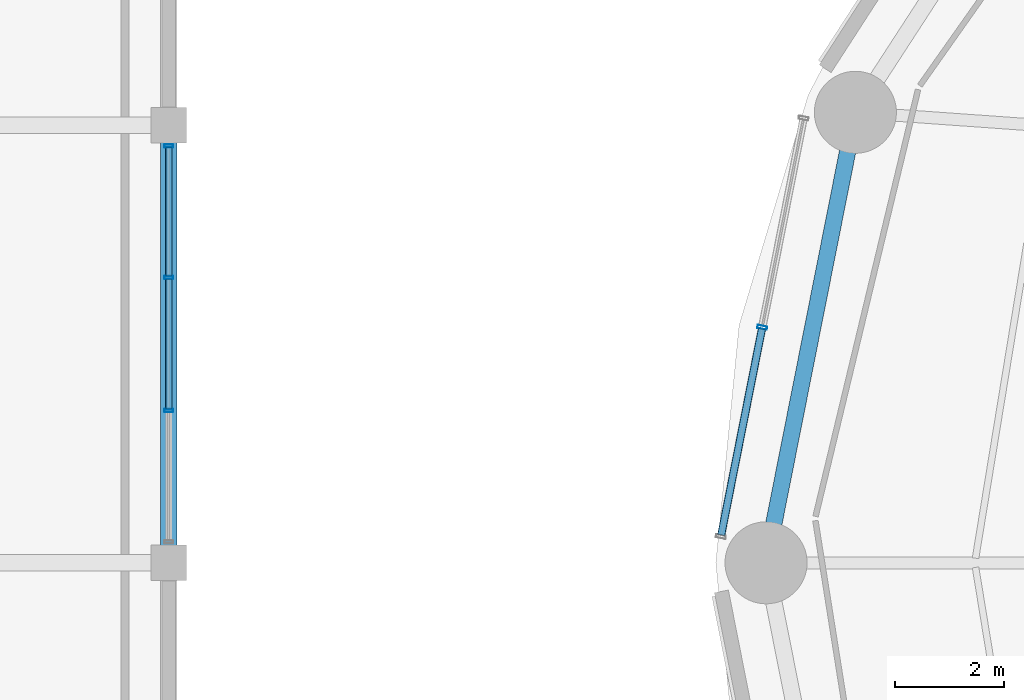
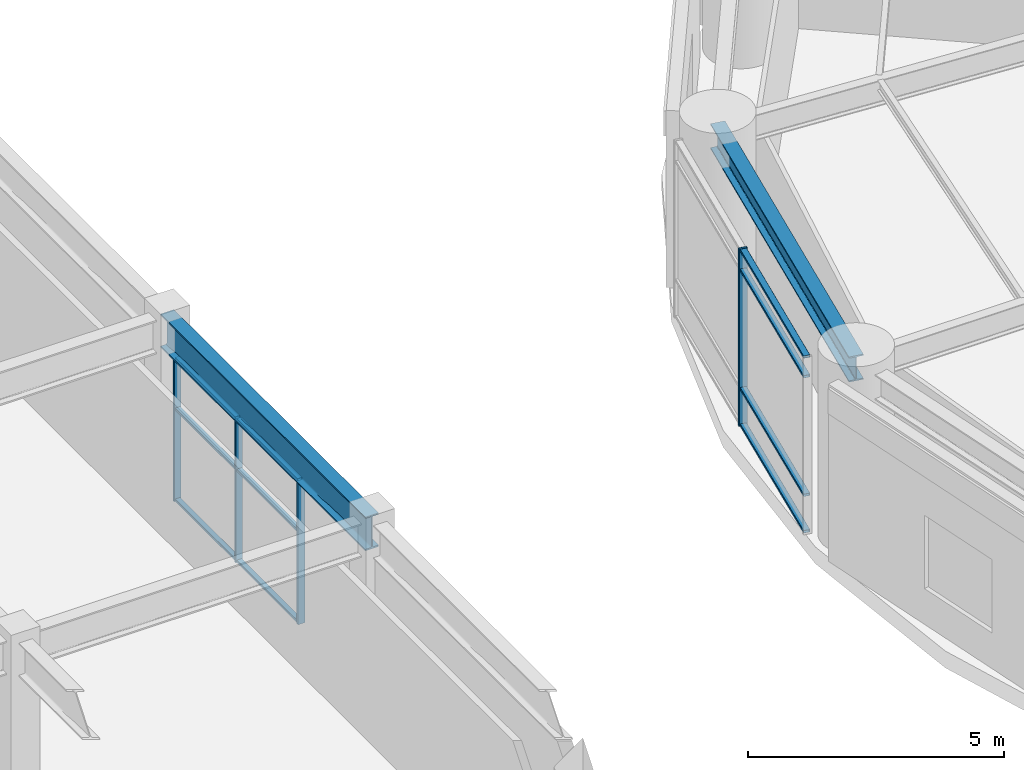
# One storey, part 13 of 46: 14 members, 2 beams, 2 elements without a shape of their own.
"""IFC4 building model written with IfcOpenShell, lengths in metres."""

from ifc_helpers import new_model, si_unit, direction, frame, origin, origin_2d, place, context, subcontext, project, spatial, hollow_rectangle, i_section, extrude, material, layer, layer_set, material_profile, profile_set, type_object, element, aggregate, save


model = new_model("IFC4")

# Units and contexts
model_context = context("Model", 3, precision=1e-05, world=origin(), true_north=direction((0.0, 1.0)))
body_context = subcontext(model_context, "Body", "Model", "MODEL_VIEW")
ifc_project = project(units=[si_unit("LENGTHUNIT", "METRE"), si_unit("AREAUNIT", "SQUARE_METRE"), si_unit("VOLUMEUNIT", "CUBIC_METRE"), si_unit("PLANEANGLEUNIT", "RADIAN"), si_unit("MASSUNIT", "GRAM", prefix="KILO")], contexts=[model_context])

# Site, building, storey
site_placement = place(None, origin())
site = spatial("IfcSite", under=ifc_project, at=site_placement, CompositionType="ELEMENT")
building_placement = place(site_placement, origin())
building = spatial("IfcBuilding", under=site, at=building_placement, Name="Kelanora Arch Commons", CompositionType="ELEMENT")
storey_placement = place(building_placement, frame((0.0, 0.0, 18.0)))
storey = spatial("IfcBuildingStorey", under=building, at=storey_placement, Name="L04", CompositionType="ELEMENT", Elevation=18.0)

# Beams
ifc_material_1 = material(Name="Steel S355", Category="steel")
ifc_material_profile_1 = material_profile(ifc_material_1, i_section(OverallWidth=0.300048828125, OverallDepth=0.800048828125, WebThickness=0.017578125, FlangeThickness=0.032958984375, FilletRadius=0.030029296875, at=origin_2d()), Name="HEB800")
ifc_profile_set_1 = profile_set([ifc_material_profile_1], Name="Steel S355")
beam_type_1 = type_object("IfcBeamType", Name="BM-MKT-ROOF", PredefinedType="USERDEFINED", material=ifc_profile_set_1)
beam_1_placement = place(storey_placement, frame((36.0, 58.0, 3.860107421875), z_axis=(0.0, 1.0, 0.0), x_axis=(-1.0, 0.0, 0.0)))
element("IfcBeam", 1, at=beam_1_placement, inside=storey, type_object=beam_type_1, Name="Market/Basement Frame Beam 091 L04", ObjectType="TRANSFER_GIRDER", PredefinedType="USERDEFINED", context=body_context, shape_type="SweptSolid", body=[
    extrude(i_section(OverallWidth=0.300048828125, OverallDepth=0.800048828125, WebThickness=0.017578125, FlangeThickness=0.032958984375, FilletRadius=0.030029296875, at=origin_2d()), origin(), (0.0, 0.0, 1.0), 8.0),
])
ifc_material_profile_2 = material_profile(ifc_material_1, i_section(OverallWidth=0.300048828125, OverallDepth=0.60009765625, WebThickness=0.015380859375, FlangeThickness=0.030029296875, FilletRadius=0.027099609375, at=origin_2d()), Name="HEB600")
ifc_profile_set_2 = profile_set([ifc_material_profile_2], Name="Steel S355")
beam_type_2 = type_object("IfcBeamType", Name="BM-SPN-Z1", PredefinedType="SPANDREL", material=ifc_profile_set_2)
beam_2_placement = place(storey_placement, frame((48.552978515625, 66.23583984375, 3.93994140625), z_axis=(-0.194499827256, -0.980902552345, 0.0), x_axis=(0.980902552345, -0.194499827256, 0.0)))
element("IfcBeam", 2, at=beam_2_placement, inside=storey, type_object=beam_type_2, Name="Perimeter Spandrel Beam BS-16 L04", PredefinedType="SPANDREL", context=body_context, shape_type="SweptSolid", body=[
    extrude(i_section(OverallWidth=0.300048828125, OverallDepth=0.60009765625, WebThickness=0.015380859375, FlangeThickness=0.030029296875, FilletRadius=0.027099609375, at=origin_2d()), origin(), (0.0, 0.0, 1.0), 8.396240234375),
])

# Curtain wall, member
ifc_material_2 = material(Name="Terracotta ceramic-fritted low-E glass and aluminium", Category="masonry")
ifc_layer_1 = layer(ifc_material_2, 0.2099609375)
ifc_layer_set_1 = layer_set([ifc_layer_1], Name="Terracotta ceramic-fritted low-E glass and aluminium")
curtain_wall_type_1 = type_object("IfcCurtainWallType", Name="CW-SYS-04", PredefinedType="NOTDEFINED", material=ifc_layer_set_1)
curtain_wall_1_placement = place(storey_placement, origin())
curtain_wall_1 = element("IfcCurtainWall", 3, at=curtain_wall_1_placement, inside=storey, type_object=curtain_wall_type_1, Name="Unitised Curtain Wall L04-B08", PredefinedType="NOTDEFINED")
ifc_material_3 = material(Name="Powder-coated aluminium terracotta", Category="masonry")
ifc_material_profile_3 = material_profile(ifc_material_3, hollow_rectangle(XDim=0.179931640625, YDim=0.06005859375, WallThickness=0.0048828125, InnerFilletRadius=0.0048828125, OuterFilletRadius=0.010009765625, at=origin_2d()), Name="CWM180x60")
ifc_profile_set_3 = profile_set([ifc_material_profile_3], Name="Powder-coated aluminium terracotta")
member_type_1 = type_object("IfcMemberType", Name="CWM-HVY", PredefinedType="MULLION", material=ifc_profile_set_3)
member_1_placement = place(storey_placement, frame((46.85009765625, 62.30419921875, 0.0), z_axis=(0.0, 0.0, 1.0), x_axis=(0.981053537743, -0.193736821698, 0.0)))
member_1 = element("IfcMember", 4, at=member_1_placement, type_object=member_type_1, Name="CW-04 mullion 2", PredefinedType="MULLION", context=body_context, shape_type="SweptSolid", body=[
    extrude(hollow_rectangle(XDim=0.179931640625, YDim=0.06005859375, WallThickness=0.0048828125, InnerFilletRadius=0.0048828125, OuterFilletRadius=0.010009765625, at=origin_2d()), origin(), (0.0, 0.0, 1.0), 4.22509765625),
])

# Curtain wall, members
ifc_layer_2 = layer(ifc_material_2, 0.16796875)
ifc_layer_set_2 = layer_set([ifc_layer_2], Name="Terracotta ceramic-fritted low-E glass and aluminium")
curtain_wall_type_2 = type_object("IfcCurtainWallType", Name="CW-SYS-07", PredefinedType="NOTDEFINED", material=ifc_layer_set_2)
curtain_wall_2_placement = place(storey_placement, origin())
curtain_wall_2 = element("IfcCurtainWall", 5, at=curtain_wall_2_placement, inside=storey, type_object=curtain_wall_type_2, Name="Market Hall Arcade Curtain Wall L04-27", PredefinedType="NOTDEFINED")
ifc_material_profile_4 = material_profile(ifc_material_3, hollow_rectangle(XDim=0.159912109375, YDim=0.06005859375, WallThickness=0.0048828125, InnerFilletRadius=0.0048828125, OuterFilletRadius=0.010009765625, at=origin_2d()), Name="CWM160x60")
ifc_profile_set_4 = profile_set([ifc_material_profile_4], Name="Powder-coated aluminium terracotta")
member_type_2 = type_object("IfcMemberType", Name="CWM-STD", PredefinedType="MULLION", material=ifc_profile_set_4)
member_2_placement = place(storey_placement, frame((36.0, 60.783447265625, 0.0), z_axis=(0.0, 0.0, 1.0), x_axis=(-1.0, 0.0, 0.0)))
member_2 = element("IfcMember", 6, at=member_2_placement, type_object=member_type_2, Name="CW-07 mullion 2", PredefinedType="MULLION", context=body_context, shape_type="SweptSolid", body=[
    extrude(hollow_rectangle(XDim=0.159912109375, YDim=0.06005859375, WallThickness=0.0048828125, InnerFilletRadius=0.0048828125, OuterFilletRadius=0.010009765625, at=origin_2d()), origin(), (0.0, 0.0, 1.0), 3.43994140625),
])
member_3_placement = place(storey_placement, frame((36.0, 63.216552734375, 0.0), z_axis=(0.0, 0.0, 1.0), x_axis=(-1.0, 0.0, 0.0)))
member_3 = element("IfcMember", 7, at=member_3_placement, type_object=member_type_2, Name="CW-07 mullion 3", PredefinedType="MULLION", context=body_context, shape_type="SweptSolid", body=[
    extrude(hollow_rectangle(XDim=0.159912109375, YDim=0.06005859375, WallThickness=0.0048828125, InnerFilletRadius=0.0048828125, OuterFilletRadius=0.010009765625, at=origin_2d()), origin(), (0.0, 0.0, 1.0), 3.43994140625),
])
member_4_placement = place(storey_placement, frame((36.0, 65.6201171875, 0.0), z_axis=(0.0, 0.0, 1.0), x_axis=(-1.0, 0.0, 0.0)))
member_4 = element("IfcMember", 8, at=member_4_placement, type_object=member_type_2, Name="CW-07 mullion 4", PredefinedType="MULLION", context=body_context, shape_type="SweptSolid", body=[
    extrude(hollow_rectangle(XDim=0.159912109375, YDim=0.06005859375, WallThickness=0.0048828125, InnerFilletRadius=0.0048828125, OuterFilletRadius=0.010009765625, at=origin_2d()), origin(), (0.0, 0.0, 1.0), 3.43994140625),
])

# Member
ifc_material_profile_5 = material_profile(ifc_material_3, hollow_rectangle(XDim=0.139892578125, YDim=0.06005859375, WallThickness=0.0048828125, InnerFilletRadius=0.0048828125, OuterFilletRadius=0.010009765625, at=origin_2d()), Name="CWT140x60")
ifc_profile_set_5 = profile_set([ifc_material_profile_5], Name="Powder-coated aluminium terracotta")
member_type_3 = type_object("IfcMemberType", Name="CWT-HVY", PredefinedType="USERDEFINED", material=ifc_profile_set_5)
member_5_placement = place(storey_placement, frame((46.84423828125, 62.274658203125, 0.030029296875), z_axis=(-0.193779617254, -0.981045085578, 0.0), x_axis=(0.981045085578, -0.193779617254, 0.0)))
member_5 = element("IfcMember", 9, at=member_5_placement, type_object=member_type_3, Name="CW-04 transom 2.1", ObjectType="TRANSOM", PredefinedType="USERDEFINED", context=body_context, shape_type="SweptSolid", body=[
    extrude(hollow_rectangle(XDim=0.139892578125, YDim=0.06005859375, WallThickness=0.0048828125, InnerFilletRadius=0.0048828125, OuterFilletRadius=0.010009765625, at=origin_2d()), origin(), (0.0, 0.0, 1.0), 3.8388671875),
])

member_6_placement = place(storey_placement, frame((46.84423828125, 62.274658203125, 0.89990234375), z_axis=(-0.193779617254, -0.981045085578, 0.0), x_axis=(0.981045085578, -0.193779617254, 0.0)))
member_6 = element("IfcMember", 10, at=member_6_placement, type_object=member_type_3, Name="CW-04 transom 2.2", ObjectType="TRANSOM", PredefinedType="USERDEFINED", context=body_context, shape_type="SweptSolid", body=[
    extrude(hollow_rectangle(XDim=0.139892578125, YDim=0.06005859375, WallThickness=0.0048828125, InnerFilletRadius=0.0048828125, OuterFilletRadius=0.010009765625, at=origin_2d()), origin(), (0.0, 0.0, 1.0), 3.8388671875),
])

member_7_placement = place(storey_placement, frame((46.84423828125, 62.274658203125, 3.72509765625), z_axis=(-0.193779617254, -0.981045085578, 0.0), x_axis=(0.981045085578, -0.193779617254, 0.0)))
member_7 = element("IfcMember", 11, at=member_7_placement, type_object=member_type_3, Name="CW-04 transom 2.3", ObjectType="TRANSOM", PredefinedType="USERDEFINED", context=body_context, shape_type="SweptSolid", body=[
    extrude(hollow_rectangle(XDim=0.139892578125, YDim=0.06005859375, WallThickness=0.0048828125, InnerFilletRadius=0.0048828125, OuterFilletRadius=0.010009765625, at=origin_2d()), origin(), (0.0, 0.0, 1.0), 3.8388671875),
])

member_8_placement = place(storey_placement, frame((46.84423828125, 62.274658203125, 4.195068359375), z_axis=(-0.193779617254, -0.981045085578, 0.0), x_axis=(0.981045085578, -0.193779617254, 0.0)))
member_8 = element("IfcMember", 12, at=member_8_placement, type_object=member_type_3, Name="CW-04 transom 2.4", ObjectType="TRANSOM", PredefinedType="USERDEFINED", context=body_context, shape_type="SweptSolid", body=[
    extrude(hollow_rectangle(XDim=0.139892578125, YDim=0.06005859375, WallThickness=0.0048828125, InnerFilletRadius=0.0048828125, OuterFilletRadius=0.010009765625, at=origin_2d()), origin(), (0.0, 0.0, 1.0), 3.8388671875),
])

aggregate(curtain_wall_1, [member_1, member_5, member_6, member_7, member_8])

ifc_material_profile_6 = material_profile(ifc_material_3, hollow_rectangle(XDim=0.1201171875, YDim=0.06005859375, WallThickness=0.0048828125, InnerFilletRadius=0.0048828125, OuterFilletRadius=0.010009765625, at=origin_2d()), Name="CWT120x60")
ifc_profile_set_6 = profile_set([ifc_material_profile_6], Name="Powder-coated aluminium terracotta")
member_type_4 = type_object("IfcMemberType", Name="CWT-STD", PredefinedType="USERDEFINED", material=ifc_profile_set_6)
member_9_placement = place(storey_placement, frame((36.0, 60.813232421875, 0.030029296875), z_axis=(0.0, 1.0, 0.0), x_axis=(-1.0, 0.0, 0.0)))
member_9 = element("IfcMember", 13, at=member_9_placement, type_object=member_type_4, Name="CW-07 transom 2.1", ObjectType="TRANSOM", PredefinedType="USERDEFINED", context=body_context, shape_type="SweptSolid", body=[
    extrude(hollow_rectangle(XDim=0.1201171875, YDim=0.06005859375, WallThickness=0.0048828125, InnerFilletRadius=0.0048828125, OuterFilletRadius=0.010009765625, at=origin_2d()), origin(), (0.0, 0.0, 1.0), 2.37353515625),
])

member_10_placement = place(storey_placement, frame((36.0, 60.813232421875, 2.199951171875), z_axis=(0.0, 1.0, 0.0), x_axis=(-1.0, 0.0, 0.0)))
member_10 = element("IfcMember", 14, at=member_10_placement, type_object=member_type_4, Name="CW-07 transom 2.2", ObjectType="TRANSOM", PredefinedType="USERDEFINED", context=body_context, shape_type="SweptSolid", body=[
    extrude(hollow_rectangle(XDim=0.1201171875, YDim=0.06005859375, WallThickness=0.0048828125, InnerFilletRadius=0.0048828125, OuterFilletRadius=0.010009765625, at=origin_2d()), origin(), (0.0, 0.0, 1.0), 2.37353515625),
])

member_11_placement = place(storey_placement, frame((36.0, 60.813232421875, 3.409912109375), z_axis=(0.0, 1.0, 0.0), x_axis=(-1.0, 0.0, 0.0)))
member_11 = element("IfcMember", 15, at=member_11_placement, type_object=member_type_4, Name="CW-07 transom 2.3", ObjectType="TRANSOM", PredefinedType="USERDEFINED", context=body_context, shape_type="SweptSolid", body=[
    extrude(hollow_rectangle(XDim=0.1201171875, YDim=0.06005859375, WallThickness=0.0048828125, InnerFilletRadius=0.0048828125, OuterFilletRadius=0.010009765625, at=origin_2d()), origin(), (0.0, 0.0, 1.0), 2.37353515625),
])

member_12_placement = place(storey_placement, frame((36.0, 63.24658203125, 0.030029296875), z_axis=(0.0, 1.0, 0.0), x_axis=(-1.0, 0.0, 0.0)))
member_12 = element("IfcMember", 16, at=member_12_placement, type_object=member_type_4, Name="CW-07 transom 3.1", ObjectType="TRANSOM", PredefinedType="USERDEFINED", context=body_context, shape_type="SweptSolid", body=[
    extrude(hollow_rectangle(XDim=0.1201171875, YDim=0.06005859375, WallThickness=0.0048828125, InnerFilletRadius=0.0048828125, OuterFilletRadius=0.010009765625, at=origin_2d()), origin(), (0.0, 0.0, 1.0), 2.343505859375),
])

member_13_placement = place(storey_placement, frame((36.0, 63.24658203125, 2.199951171875), z_axis=(0.0, 1.0, 0.0), x_axis=(-1.0, 0.0, 0.0)))
member_13 = element("IfcMember", 17, at=member_13_placement, type_object=member_type_4, Name="CW-07 transom 3.2", ObjectType="TRANSOM", PredefinedType="USERDEFINED", context=body_context, shape_type="SweptSolid", body=[
    extrude(hollow_rectangle(XDim=0.1201171875, YDim=0.06005859375, WallThickness=0.0048828125, InnerFilletRadius=0.0048828125, OuterFilletRadius=0.010009765625, at=origin_2d()), origin(), (0.0, 0.0, 1.0), 2.343505859375),
])

member_14_placement = place(storey_placement, frame((36.0, 63.24658203125, 3.409912109375), z_axis=(0.0, 1.0, 0.0), x_axis=(-1.0, 0.0, 0.0)))
member_14 = element("IfcMember", 18, at=member_14_placement, type_object=member_type_4, Name="CW-07 transom 3.3", ObjectType="TRANSOM", PredefinedType="USERDEFINED", context=body_context, shape_type="SweptSolid", body=[
    extrude(hollow_rectangle(XDim=0.1201171875, YDim=0.06005859375, WallThickness=0.0048828125, InnerFilletRadius=0.0048828125, OuterFilletRadius=0.010009765625, at=origin_2d()), origin(), (0.0, 0.0, 1.0), 2.343505859375),
])

aggregate(curtain_wall_2, [member_2, member_3, member_4, member_9, member_10, member_11, member_12, member_13, member_14])

save(model, "model.ifc")
